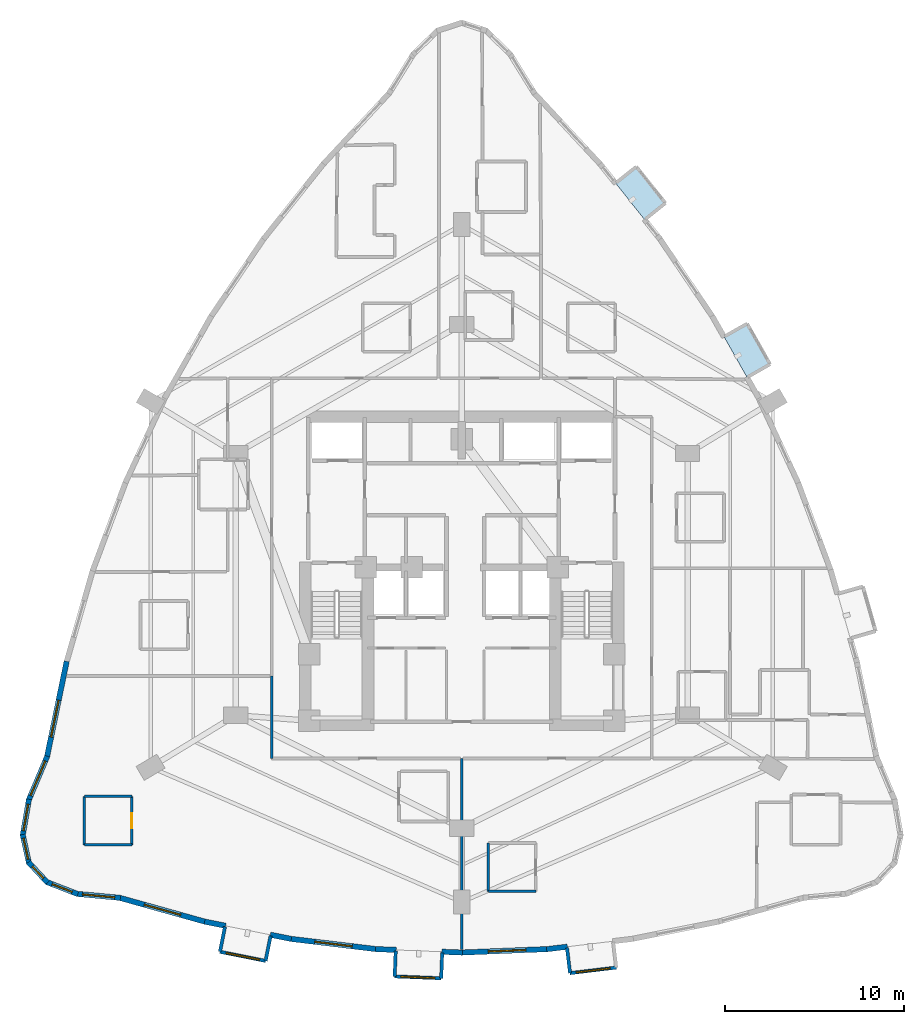
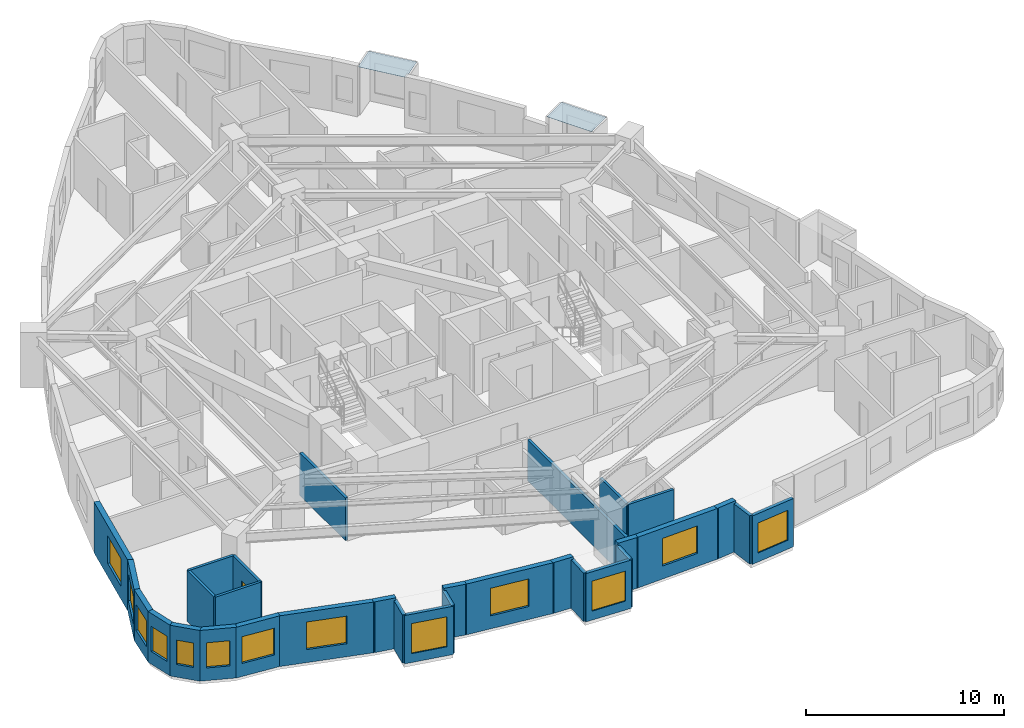
# One storey, part 6 of 13: 31 walls, 13 windows, 2 plates, 1 door, 14 openings.
"""IFC4 building model written with IfcOpenShell, lengths in metres."""

from ifc_helpers import new_model, si_unit, direction, frame, frame_2d, origin, place, context, subcontext, project, spatial, polyline, rectangle, outline, extrude, material, layer, layer_set, type_object, element, fill, save


model = new_model("IFC4")

# Units and contexts
model_context = context("Model", 3, precision=1e-05, world=origin(), true_north=direction((0.0, 1.0)))
body_context = subcontext(model_context, "Body", "Model", "MODEL_VIEW")
ifc_project = project(units=[si_unit("LENGTHUNIT", "METRE"), si_unit("AREAUNIT", "SQUARE_METRE"), si_unit("VOLUMEUNIT", "CUBIC_METRE"), si_unit("PLANEANGLEUNIT", "RADIAN"), si_unit("MASSUNIT", "GRAM", prefix="KILO")], contexts=[model_context])

# Site, building, storey
site_placement = place(None, origin())
site = spatial("IfcSite", under=ifc_project, at=site_placement, CompositionType="ELEMENT")
building_placement = place(site_placement, origin())
building = spatial("IfcBuilding", under=site, at=building_placement, Name="Miruveldt Soraemaru", CompositionType="ELEMENT")
storey_placement = place(building_placement, frame((0.0, 0.0, 63.199951171875)))
storey = spatial("IfcBuildingStorey", under=building, at=storey_placement, Name="L17", CompositionType="ELEMENT", Elevation=63.199951171875)

# Plates
ifc_material_1 = material(Name="Standing-seam titanium-zinc sheet", Category="aluminium")
ifc_layer_1 = layer(ifc_material_1, 0.011962890625, Name="Standing-seam titanium-zinc sheet", Category="aluminium")
ifc_layer_set_1 = layer_set([ifc_layer_1], Name="Standing-seam titanium-zinc sheet")
plate_type = type_object("IfcPlateType", Name="PLT-ZINC-12", PredefinedType="SHEET", material=ifc_layer_set_1)
plate_1_placement = place(storey_placement, frame((0.0, 0.0, 2.97509765625)))
element("IfcPlate", 1, at=plate_1_placement, inside=storey, type_object=plate_type, Name="L17 Bay Window Zinc Hood Sheet 5", PredefinedType="SHEET", context=body_context, shape_type="SweptSolid", body=[
    extrude(outline(polyline([(59.912109375, 54.6513671875), (58.629150390625, 56.9130859375), (59.91650390625, 57.643310546875), (61.19921875, 55.381591796875), (59.912109375, 54.6513671875)])), origin(), (0.0, 0.0, 1.0), 0.011962890625),
])
plate_2_placement = place(storey_placement, frame((0.0, 0.0, 2.97509765625)))
element("IfcPlate", 2, at=plate_2_placement, inside=storey, type_object=plate_type, Name="L17 Bay Window Zinc Hood Sheet 6", PredefinedType="SHEET", context=body_context, shape_type="SweptSolid", body=[
    extrude(outline(polyline([(54.2021484375, 63.4453125), (52.58056640625, 65.4775390625), (53.737548828125, 66.400634765625), (55.359130859375, 64.3681640625), (54.2021484375, 63.4453125)])), origin(), (0.0, 0.0, 1.0), 0.011962890625),
])

# Walls
ifc_material_2 = material(Name="White powder-coated aluminium EN AW-6060 T6", Category="aluminium")
ifc_layer_2 = layer(ifc_material_2, 0.18994140625, Name="White powder-coated aluminium EN AW-6060 T6", Category="aluminium")
ifc_layer_set_2 = layer_set([ifc_layer_2], Name="White powder-coated aluminium EN AW-6060 T6")
wall_type_1 = type_object("IfcWallType", Name="WALL-BAY-ALU190", PredefinedType="SOLIDWALL", material=ifc_layer_set_2)
for number, where, z_axis, x_axis, name in (
    (3, (30.791748046875, 24.007080078125, 0.0), (0.0, 0.0, 1.0), (-0.196149079112, -0.980574086321, 0.0), "L17 Bay Window Side Cheek 1L"),
    (4, (33.061767578125, 22.099609375, 0.0), (0.0, 0.0, 1.0), (0.196149079112, 0.980574086321, 0.0), "L17 Bay Window Side Cheek 1R"),
):
    element("IfcWall", number, at=place(storey_placement, frame(where, z_axis=z_axis, x_axis=x_axis)), inside=storey, type_object=wall_type_1, Name=name, PredefinedType="SOLIDWALL", context=body_context, shape_type="SweptSolid", body=[
        extrude(rectangle(XDim=1.425048828125, YDim=0.18994140625, at=frame_2d((0.71240234375, 0.0))), origin(), (0.0, 0.0, 1.0), 2.97509765625),
    ])

# Wall, opening, window
wall_1_placement = place(storey_placement, frame((30.51220703125, 22.609619140625, 0.0), z_axis=(0.0, 0.0, 1.0), x_axis=(0.980573452128, -0.196152249497, 0.0)))
wall_1 = element("IfcWall", 5, at=wall_1_placement, inside=storey, type_object=wall_type_1, Name="L17 Bay Window Front Frame 1", PredefinedType="SOLIDWALL", context=body_context, shape_type="SweptSolid", body=[
    extrude(rectangle(XDim=2.60009765625, YDim=0.18994140625, at=frame_2d((1.300048828125, 0.0))), origin(), (0.0, 0.0, 1.0), 2.97509765625),
])
opening_1_placement = place(wall_1_placement, frame((0.35009765625, 0.0, 0.550048828125)))
opening_1 = element("IfcOpeningElement", 6, at=opening_1_placement, cuts=wall_1, Name="Opening WN-6", PredefinedType="OPENING", context=body_context, shape_type="SweptSolid", body=[
    extrude(rectangle(XDim=1.89990234375, YDim=1.85009765625, at=frame_2d((0.949951171875, 0.925048828125))), frame((0.0, 0.10498046875, 0.0), z_axis=(0.0, -1.0, 0.0), x_axis=(1.0, 0.0, 0.0)), (0.0, 0.0, 1.0), 0.2099609375),
])
ifc_material_3 = material(Name="Triple low-e insulated glazing", Category="glass")
window_type_1 = type_object("IfcWindowType", Name="WIN-BAYW-1900x1850", PartitioningType="SINGLE_PANEL", PredefinedType="WINDOW", material=ifc_material_3)
window_1_placement = place(opening_1_placement, origin())
window_1 = element("IfcWindow", 7, at=window_1_placement, inside=storey, type_object=window_type_1, Name="L17 Projecting Bay Window 1", OverallHeight=1.85009765625, OverallWidth=1.89990234375, PartitioningType="SINGLE_PANEL", PredefinedType="WINDOW", context=body_context, shape_type="SweptSolid", body=[
    extrude(rectangle(XDim=1.89990234375, YDim=1.85009765625, at=frame_2d((0.949951171875, 0.925048828125))), frame((0.0, 0.030029296875, 0.0), z_axis=(0.0, -1.0, 0.0), x_axis=(1.0, 0.0, 0.0)), (0.0, 0.0, 1.0), 0.06005859375),
])
fill(opening_1, window_1)

# Walls
for number, where, z_axis, x_axis, name in (
    (8, (40.314208984375, 22.658447265625, 0.0), (0.0, 0.0, 1.0), (-0.039920142234, -0.999202873417, 0.0), "L17 Bay Window Side Cheek 2L"),
    (9, (42.855224609375, 21.130615234375, 0.0), (0.0, 0.0, 1.0), (0.039920142234, 0.999202873417, 0.0), "L17 Bay Window Side Cheek 2R"),
):
    element("IfcWall", number, at=place(storey_placement, frame(where, z_axis=z_axis, x_axis=x_axis)), inside=storey, type_object=wall_type_1, Name=name, PredefinedType="SOLIDWALL", context=body_context, shape_type="SweptSolid", body=[
        extrude(rectangle(XDim=1.425048828125, YDim=0.18994140625, at=frame_2d((0.71240234375, 0.0))), origin(), (0.0, 0.0, 1.0), 2.97509765625),
    ])

# Wall, opening, window
wall_2_placement = place(storey_placement, frame((40.25732421875, 21.234619140625, 0.0), z_axis=(0.0, 0.0, 1.0), x_axis=(0.999199608139, -0.040001788654, 0.0)))
wall_2 = element("IfcWall", 10, at=wall_2_placement, inside=storey, type_object=wall_type_1, Name="L17 Bay Window Front Frame 2", PredefinedType="SOLIDWALL", context=body_context, shape_type="SweptSolid", body=[
    extrude(rectangle(XDim=2.60009765625, YDim=0.18994140625, at=frame_2d((1.300048828125, 0.0))), origin(), (0.0, 0.0, 1.0), 2.97509765625),
])
opening_2_placement = place(wall_2_placement, frame((0.35009765625, 0.0, 0.550048828125)))
opening_2 = element("IfcOpeningElement", 11, at=opening_2_placement, cuts=wall_2, Name="Opening WN-6", PredefinedType="OPENING", context=body_context, shape_type="SweptSolid", body=[
    extrude(rectangle(XDim=1.89990234375, YDim=1.85009765625, at=frame_2d((0.949951171875, 0.925048828125))), frame((0.0, 0.10498046875, 0.0), z_axis=(0.0, -1.0, 0.0), x_axis=(1.0, 0.0, 0.0)), (0.0, 0.0, 1.0), 0.2099609375),
])
window_2_placement = place(opening_2_placement, origin())
window_2 = element("IfcWindow", 12, at=window_2_placement, inside=storey, type_object=window_type_1, Name="L17 Projecting Bay Window 2", OverallHeight=1.85009765625, OverallWidth=1.89990234375, PartitioningType="SINGLE_PANEL", PredefinedType="WINDOW", context=body_context, shape_type="SweptSolid", body=[
    extrude(rectangle(XDim=1.89990234375, YDim=1.85009765625, at=frame_2d((0.949951171875, 0.925048828125))), frame((0.0, 0.030029296875, 0.0), z_axis=(0.0, -1.0, 0.0), x_axis=(1.0, 0.0, 0.0)), (0.0, 0.0, 1.0), 0.06005859375),
])
fill(opening_2, window_2)

# Wall
wall_3_placement = place(storey_placement, frame((49.869384765625, 22.83349609375, 0.0), z_axis=(0.0, 0.0, 1.0), x_axis=(0.119246559468, -0.992864672579, 0.0)))
element("IfcWall", 13, at=wall_3_placement, inside=storey, type_object=wall_type_1, Name="L17 Bay Window Side Cheek 3L", PredefinedType="SOLIDWALL", context=body_context, shape_type="SweptSolid", body=[
    extrude(rectangle(XDim=1.425048828125, YDim=0.18994140625, at=frame_2d((0.71240234375, 0.0))), origin(), (0.0, 0.0, 1.0), 2.97509765625),
])

# Wall, opening, window
wall_4_placement = place(storey_placement, frame((50.039306640625, 21.418701171875, 0.0), z_axis=(0.0, 0.0, 1.0), x_axis=(0.992885278793, 0.119074863663, 0.0)))
wall_4 = element("IfcWall", 14, at=wall_4_placement, inside=storey, type_object=wall_type_1, Name="L17 Bay Window Front Frame 3", PredefinedType="SOLIDWALL", context=body_context, shape_type="SweptSolid", body=[
    extrude(rectangle(XDim=2.599853515625, YDim=0.18994140625, at=frame_2d((1.2998046875, 0.0))), origin(), (0.0, 0.0, 1.0), 2.97509765625),
])
opening_3_placement = place(wall_4_placement, frame((0.35009765625, 0.0, 0.550048828125)))
opening_3 = element("IfcOpeningElement", 15, at=opening_3_placement, cuts=wall_4, Name="Opening WN-6", PredefinedType="OPENING", context=body_context, shape_type="SweptSolid", body=[
    extrude(rectangle(XDim=1.89990234375, YDim=1.85009765625, at=frame_2d((0.949951171875, 0.925048828125))), frame((0.0, 0.10498046875, 0.0), z_axis=(0.0, -1.0, 0.0), x_axis=(1.0, 0.0, 0.0)), (0.0, 0.0, 1.0), 0.2099609375),
])
window_3_placement = place(opening_3_placement, origin())
window_3 = element("IfcWindow", 16, at=window_3_placement, inside=storey, type_object=window_type_1, Name="L17 Projecting Bay Window 3", OverallHeight=1.85009765625, OverallWidth=1.89990234375, PartitioningType="SINGLE_PANEL", PredefinedType="WINDOW", context=body_context, shape_type="SweptSolid", body=[
    extrude(rectangle(XDim=1.89990234375, YDim=1.85009765625, at=frame_2d((0.949951171875, 0.925048828125))), frame((0.0, 0.030029296875, 0.0), z_axis=(0.0, -1.0, 0.0), x_axis=(1.0, 0.0, 0.0)), (0.0, 0.0, 1.0), 0.06005859375),
])
fill(opening_3, window_3)

ifc_material_4 = material(Name="Precast concrete C45/55 (45 MPa)", Category="concrete")
ifc_layer_3 = layer(ifc_material_4, 0.300048828125, Name="Precast concrete C45/55 (45 MPa)", Category="concrete")
ifc_layer_set_3 = layer_set([ifc_layer_3], Name="Precast concrete C45/55 (45 MPa)")
wall_type_2 = type_object("IfcWallType", Name="WALL-EXT-PC300", PredefinedType="SOLIDWALL", material=ifc_layer_set_3)
wall_5_placement = place(storey_placement, frame((21.96337890625, 38.815673828125, 0.0), z_axis=(0.0, 0.0, 1.0), x_axis=(-0.201576162265, -0.979472843323, 0.0)))
wall_5 = element("IfcWall", 17, at=wall_5_placement, inside=storey, type_object=wall_type_2, Name="L17 Precast Concrete Facade Wall 14", PredefinedType="SOLIDWALL", context=body_context, shape_type="SweptSolid", body=[
    extrude(rectangle(XDim=5.474365234375, YDim=0.300048828125, at=frame_2d((2.7373046875, 0.0))), origin(), (0.0, 0.0, 1.0), 3.125),
])
opening_4_placement = place(wall_5_placement, frame((2.215087890625, 0.0, 0.800048828125)))
opening_4 = element("IfcOpeningElement", 18, at=opening_4_placement, cuts=wall_5, Name="Opening WN-1", PredefinedType="OPENING", context=body_context, shape_type="SweptSolid", body=[
    extrude(rectangle(XDim=2.10009765625, YDim=1.699951171875, at=frame_2d((1.050048828125, 0.85009765625))), frame((0.0, 0.16015625, 0.0), z_axis=(0.0, -1.0, 0.0), x_axis=(1.0, 0.0, 0.0)), (0.0, 0.0, 1.0), 0.320068359375),
])
window_type_2 = type_object("IfcWindowType", Name="WIN-PUNCH-2100x1700", PartitioningType="SINGLE_PANEL", PredefinedType="WINDOW", material=ifc_material_3)
window_4_placement = place(opening_4_placement, origin())
window_4 = element("IfcWindow", 19, at=window_4_placement, inside=storey, type_object=window_type_2, Name="L17 Punched Triple-Glazed Window 14.1", OverallHeight=1.699951171875, OverallWidth=2.10009765625, PartitioningType="SINGLE_PANEL", PredefinedType="WINDOW", context=body_context, shape_type="SweptSolid", body=[
    extrude(rectangle(XDim=2.10009765625, YDim=1.699951171875, at=frame_2d((1.050048828125, 0.85009765625))), frame((0.0, 0.030029296875, 0.0), z_axis=(0.0, -1.0, 0.0), x_axis=(1.0, 0.0, 0.0)), (0.0, 0.0, 1.0), 0.06005859375),
])
fill(opening_4, window_4)

wall_6_placement = place(storey_placement, frame((20.880615234375, 33.52001953125, 0.0), z_axis=(0.0, 0.0, 1.0), x_axis=(-0.388667876127, -0.921377925754, 0.0)))
wall_6 = element("IfcWall", 20, at=wall_6_placement, inside=storey, type_object=wall_type_2, Name="L17 Precast Concrete Facade Wall 15", PredefinedType="SOLIDWALL", context=body_context, shape_type="SweptSolid", body=[
    extrude(rectangle(XDim=2.6796875, YDim=0.300048828125, at=frame_2d((1.33984375, 0.0))), origin(), (0.0, 0.0, 1.0), 3.125),
])
opening_5_placement = place(wall_6_placement, frame((0.2900390625, 0.0, 0.800048828125)))
opening_5 = element("IfcOpeningElement", 21, at=opening_5_placement, cuts=wall_6, Name="Opening WN-1", PredefinedType="OPENING", context=body_context, shape_type="SweptSolid", body=[
    extrude(rectangle(XDim=2.10009765625, YDim=1.699951171875, at=frame_2d((1.050048828125, 0.85009765625))), frame((0.0, 0.16015625, 0.0), z_axis=(0.0, -1.0, 0.0), x_axis=(1.0, 0.0, 0.0)), (0.0, 0.0, 1.0), 0.320068359375),
])
window_5_placement = place(opening_5_placement, origin())
window_5 = element("IfcWindow", 22, at=window_5_placement, inside=storey, type_object=window_type_2, Name="L17 Punched Triple-Glazed Window 15.1", OverallHeight=1.699951171875, OverallWidth=2.10009765625, PartitioningType="SINGLE_PANEL", PredefinedType="WINDOW", context=body_context, shape_type="SweptSolid", body=[
    extrude(rectangle(XDim=2.10009765625, YDim=1.699951171875, at=frame_2d((1.050048828125, 0.85009765625))), frame((0.0, 0.030029296875, 0.0), z_axis=(0.0, -1.0, 0.0), x_axis=(1.0, 0.0, 0.0)), (0.0, 0.0, 1.0), 0.06005859375),
])
fill(opening_5, window_5)

wall_7_placement = place(storey_placement, frame((19.858642578125, 31.11767578125, 0.0), z_axis=(0.0, 0.0, 1.0), x_axis=(-0.169321278281, -0.985560908682, 0.0)))
wall_7 = element("IfcWall", 23, at=wall_7_placement, inside=storey, type_object=wall_type_2, Name="L17 Precast Concrete Facade Wall 16", PredefinedType="SOLIDWALL", context=body_context, shape_type="SweptSolid", body=[
    extrude(rectangle(XDim=2.066162109375, YDim=0.300048828125, at=frame_2d((1.033203125, 0.0))), origin(), (0.0, 0.0, 1.0), 3.125),
])
opening_6_placement = place(wall_7_placement, frame((0.282958984375, 0.0, 0.800048828125)))
opening_6 = element("IfcOpeningElement", 24, at=opening_6_placement, cuts=wall_7, Name="Opening WN-3", PredefinedType="OPENING", context=body_context, shape_type="SweptSolid", body=[
    extrude(rectangle(XDim=1.5, YDim=1.60009765625, at=frame_2d((0.75, 0.800048828125))), frame((0.0, 0.16015625, 0.0), z_axis=(0.0, -1.0, 0.0), x_axis=(1.0, 0.0, 0.0)), (0.0, 0.0, 1.0), 0.320068359375),
])
window_type_3 = type_object("IfcWindowType", Name="WIN-PUNCH-1500x1600", PartitioningType="SINGLE_PANEL", PredefinedType="WINDOW", material=ifc_material_3)
window_6_placement = place(opening_6_placement, origin())
window_6 = element("IfcWindow", 25, at=window_6_placement, inside=storey, type_object=window_type_3, Name="L17 Punched Triple-Glazed Window 16.1", OverallHeight=1.60009765625, OverallWidth=1.5, PartitioningType="SINGLE_PANEL", PredefinedType="WINDOW", context=body_context, shape_type="SweptSolid", body=[
    extrude(rectangle(XDim=1.5, YDim=1.60009765625, at=frame_2d((0.75, 0.800048828125))), frame((0.0, 0.030029296875, 0.0), z_axis=(0.0, -1.0, 0.0), x_axis=(1.0, 0.0, 0.0)), (0.0, 0.0, 1.0), 0.06005859375),
])
fill(opening_6, window_6)

wall_8_placement = place(storey_placement, frame((19.507080078125, 29.14990234375, 0.0), z_axis=(0.0, 0.0, 1.0), x_axis=(0.215809114489, -0.976435571916, 0.0)))
wall_8 = element("IfcWall", 26, at=wall_8_placement, inside=storey, type_object=wall_type_2, Name="L17 Precast Concrete Facade Wall 17", PredefinedType="SOLIDWALL", context=body_context, shape_type="SweptSolid", body=[
    extrude(rectangle(XDim=1.636962890625, YDim=0.300048828125, at=frame_2d((0.818359375, 0.0))), origin(), (0.0, 0.0, 1.0), 3.125),
])
opening_7_placement = place(wall_8_placement, frame((0.218994140625, 0.0, 0.780029296875)))
opening_7 = element("IfcOpeningElement", 27, at=opening_7_placement, cuts=wall_8, Name="Opening WN-4", PredefinedType="OPENING", context=body_context, shape_type="SweptSolid", body=[
    extrude(rectangle(XDim=1.199951171875, YDim=1.550048828125, at=frame_2d((0.60009765625, 0.77490234375))), frame((0.0, 0.16015625, 0.0), z_axis=(0.0, -1.0, 0.0), x_axis=(1.0, 0.0, 0.0)), (0.0, 0.0, 1.0), 0.320068359375),
])
window_type_4 = type_object("IfcWindowType", Name="WIN-PUNCH-1200x1550", PartitioningType="SINGLE_PANEL", PredefinedType="WINDOW", material=ifc_material_3)
window_7_placement = place(opening_7_placement, origin())
window_7 = element("IfcWindow", 28, at=window_7_placement, inside=storey, type_object=window_type_4, Name="L17 Punched Triple-Glazed Window 17.1", OverallHeight=1.550048828125, OverallWidth=1.199951171875, PartitioningType="SINGLE_PANEL", PredefinedType="WINDOW", context=body_context, shape_type="SweptSolid", body=[
    extrude(rectangle(XDim=1.199951171875, YDim=1.550048828125, at=frame_2d((0.60009765625, 0.77490234375))), frame((0.0, 0.030029296875, 0.0), z_axis=(0.0, -1.0, 0.0), x_axis=(1.0, 0.0, 0.0)), (0.0, 0.0, 1.0), 0.06005859375),
])
fill(opening_7, window_7)

wall_9_placement = place(storey_placement, frame((19.8291015625, 27.611328125, 0.0), z_axis=(0.0, 0.0, 1.0), x_axis=(0.68010312741, -0.733116454656, 0.0)))
wall_9 = element("IfcWall", 29, at=wall_9_placement, inside=storey, type_object=wall_type_2, Name="L17 Precast Concrete Facade Wall 18", PredefinedType="SOLIDWALL", context=body_context, shape_type="SweptSolid", body=[
    extrude(rectangle(XDim=1.561279296875, YDim=0.300048828125, at=frame_2d((0.78076171875, 0.0))), origin(), (0.0, 0.0, 1.0), 3.125),
])
opening_8_placement = place(wall_9_placement, frame((0.330078125, 0.0, 0.780029296875)))
opening_8 = element("IfcOpeningElement", 30, at=opening_8_placement, cuts=wall_9, Name="Opening WN-7", PredefinedType="OPENING", context=body_context, shape_type="SweptSolid", body=[
    extrude(rectangle(XDim=0.89990234375, YDim=1.5, at=frame_2d((0.449951171875, 0.75))), frame((0.0, 0.16015625, 0.0), z_axis=(0.0, -1.0, 0.0), x_axis=(1.0, 0.0, 0.0)), (0.0, 0.0, 1.0), 0.320068359375),
])
window_type_5 = type_object("IfcWindowType", Name="WIN-PUNCH-900x1500", PartitioningType="SINGLE_PANEL", PredefinedType="WINDOW", material=ifc_material_3)
window_8_placement = place(opening_8_placement, origin())
window_8 = element("IfcWindow", 31, at=window_8_placement, inside=storey, type_object=window_type_5, Name="L17 Punched Triple-Glazed Window 18.1", OverallHeight=1.5, OverallWidth=0.89990234375, PartitioningType="SINGLE_PANEL", PredefinedType="WINDOW", context=body_context, shape_type="SweptSolid", body=[
    extrude(rectangle(XDim=0.89990234375, YDim=1.5, at=frame_2d((0.449951171875, 0.75))), frame((0.0, 0.030029296875, 0.0), z_axis=(0.0, -1.0, 0.0), x_axis=(1.0, 0.0, 0.0)), (0.0, 0.0, 1.0), 0.06005859375),
])
fill(opening_8, window_8)

wall_10_placement = place(storey_placement, frame((20.83447265625, 26.50537109375, 0.0), z_axis=(0.0, 0.0, 1.0), x_axis=(0.932272084915, -0.361757874397, 0.0)))
wall_10 = element("IfcWall", 32, at=wall_10_placement, inside=storey, type_object=wall_type_2, Name="L17 Precast Concrete Facade Wall 19", PredefinedType="SOLIDWALL", context=body_context, shape_type="SweptSolid", body=[
    extrude(rectangle(XDim=1.8828125, YDim=0.300048828125, at=frame_2d((0.94140625, 0.0))), origin(), (0.0, 0.0, 1.0), 3.125),
])
opening_9_placement = place(wall_10_placement, frame((0.342041015625, 0.0, 0.780029296875)))
opening_9 = element("IfcOpeningElement", 33, at=opening_9_placement, cuts=wall_10, Name="Opening WN-4", PredefinedType="OPENING", context=body_context, shape_type="SweptSolid", body=[
    extrude(rectangle(XDim=1.199951171875, YDim=1.550048828125, at=frame_2d((0.60009765625, 0.77490234375))), frame((0.0, 0.16015625, 0.0), z_axis=(0.0, -1.0, 0.0), x_axis=(1.0, 0.0, 0.0)), (0.0, 0.0, 1.0), 0.320068359375),
])
window_9_placement = place(opening_9_placement, origin())
window_9 = element("IfcWindow", 34, at=window_9_placement, inside=storey, type_object=window_type_4, Name="L17 Punched Triple-Glazed Window 19.1", OverallHeight=1.550048828125, OverallWidth=1.199951171875, PartitioningType="SINGLE_PANEL", PredefinedType="WINDOW", context=body_context, shape_type="SweptSolid", body=[
    extrude(rectangle(XDim=1.199951171875, YDim=1.550048828125, at=frame_2d((0.60009765625, 0.77490234375))), frame((0.0, 0.030029296875, 0.0), z_axis=(0.0, -1.0, 0.0), x_axis=(1.0, 0.0, 0.0)), (0.0, 0.0, 1.0), 0.06005859375),
])
fill(opening_9, window_9)

wall_11_placement = place(storey_placement, frame((22.5224609375, 25.840087890625, 0.0), z_axis=(0.0, 0.0, 1.0), x_axis=(0.995757962067, -0.092011308982, 0.0)))
wall_11 = element("IfcWall", 35, at=wall_11_placement, inside=storey, type_object=wall_type_2, Name="L17 Precast Concrete Facade Wall 20", PredefinedType="SOLIDWALL", context=body_context, shape_type="SweptSolid", body=[
    extrude(rectangle(XDim=2.446533203125, YDim=0.300048828125, at=frame_2d((1.22314453125, 0.0))), origin(), (0.0, 0.0, 1.0), 3.125),
])
opening_10_placement = place(wall_11_placement, frame((0.323974609375, 0.0, 0.800048828125)))
opening_10 = element("IfcOpeningElement", 36, at=opening_10_placement, cuts=wall_11, Name="Opening WN-2", PredefinedType="OPENING", context=body_context, shape_type="SweptSolid", body=[
    extrude(rectangle(XDim=1.800048828125, YDim=1.64990234375, at=frame_2d((0.89990234375, 0.824951171875))), frame((0.0, 0.16015625, 0.0), z_axis=(0.0, -1.0, 0.0), x_axis=(1.0, 0.0, 0.0)), (0.0, 0.0, 1.0), 0.320068359375),
])
window_type_6 = type_object("IfcWindowType", Name="WIN-PUNCH-1800x1650", PartitioningType="SINGLE_PANEL", PredefinedType="WINDOW", material=ifc_material_3)
window_10_placement = place(opening_10_placement, origin())
window_10 = element("IfcWindow", 37, at=window_10_placement, inside=storey, type_object=window_type_6, Name="L17 Punched Triple-Glazed Window 20.1", OverallHeight=1.64990234375, OverallWidth=1.800048828125, PartitioningType="SINGLE_PANEL", PredefinedType="WINDOW", context=body_context, shape_type="SweptSolid", body=[
    extrude(rectangle(XDim=1.800048828125, YDim=1.64990234375, at=frame_2d((0.89990234375, 0.824951171875))), frame((0.0, 0.030029296875, 0.0), z_axis=(0.0, -1.0, 0.0), x_axis=(1.0, 0.0, 0.0)), (0.0, 0.0, 1.0), 0.06005859375),
])
fill(opening_10, window_10)

wall_12_placement = place(storey_placement, frame((24.889892578125, 25.627685546875, 0.0), z_axis=(0.0, 0.0, 1.0), x_axis=(0.962965029361, -0.269626319614, 0.0)))
wall_12 = element("IfcWall", 38, at=wall_12_placement, inside=storey, type_object=wall_type_2, Name="L17 Precast Concrete Facade Wall 21", PredefinedType="SOLIDWALL", context=body_context, shape_type="SweptSolid", body=[
    extrude(rectangle(XDim=5.022705078125, YDim=0.300048828125, at=frame_2d((2.51123046875, 0.0))), origin(), (0.0, 0.0, 1.0), 3.125),
])
opening_11_placement = place(wall_12_placement, frame((1.4609375, 0.0, 0.800048828125)))
opening_11 = element("IfcOpeningElement", 39, at=opening_11_placement, cuts=wall_12, Name="Opening WN-1", PredefinedType="OPENING", context=body_context, shape_type="SweptSolid", body=[
    extrude(rectangle(XDim=2.10009765625, YDim=1.699951171875, at=frame_2d((1.050048828125, 0.85009765625))), frame((0.0, 0.16015625, 0.0), z_axis=(0.0, -1.0, 0.0), x_axis=(1.0, 0.0, 0.0)), (0.0, 0.0, 1.0), 0.320068359375),
])
window_11_placement = place(opening_11_placement, origin())
window_11 = element("IfcWindow", 40, at=window_11_placement, inside=storey, type_object=window_type_2, Name="L17 Punched Triple-Glazed Window 21.1", OverallHeight=1.699951171875, OverallWidth=2.10009765625, PartitioningType="SINGLE_PANEL", PredefinedType="WINDOW", context=body_context, shape_type="SweptSolid", body=[
    extrude(rectangle(XDim=2.10009765625, YDim=1.699951171875, at=frame_2d((1.050048828125, 0.85009765625))), frame((0.0, 0.030029296875, 0.0), z_axis=(0.0, -1.0, 0.0), x_axis=(1.0, 0.0, 0.0)), (0.0, 0.0, 1.0), 0.06005859375),
])
fill(opening_11, window_11)

# Walls
for number, where, z_axis, x_axis, name in (
    (41, (29.658447265625, 24.289794921875, 0.0), (0.0, 0.0, 1.0), (0.980588522376, -0.196076897629, 0.0), "L17 Precast Pier Wall 22A"),
    (42, (33.32275390625, 23.556884765625, 0.0), (0.0, 0.0, 1.0), (0.980588522376, -0.196076897629, 0.0), "L17 Precast Pier Wall 22B"),
):
    element("IfcWall", number, at=place(storey_placement, frame(where, z_axis=z_axis, x_axis=x_axis)), inside=storey, type_object=wall_type_2, Name=name, PredefinedType="SOLIDWALL", context=body_context, shape_type="SweptSolid", body=[
        extrude(rectangle(XDim=1.196533203125, YDim=0.300048828125, at=frame_2d((0.59814453125, 0.0))), origin(), (0.0, 0.0, 1.0), 3.125),
    ])

# Wall, opening, window
wall_13_placement = place(storey_placement, frame((34.427001953125, 23.333251953125, 0.0), z_axis=(0.0, 0.0, 1.0), x_axis=(0.992878497765, -0.119131392486, 0.0)))
wall_13 = element("IfcWall", 43, at=wall_13_placement, inside=storey, type_object=wall_type_2, Name="L17 Precast Concrete Facade Wall 23", PredefinedType="SOLIDWALL", context=body_context, shape_type="SweptSolid", body=[
    extrude(rectangle(XDim=4.873291015625, YDim=0.300048828125, at=frame_2d((2.4365234375, 0.0))), origin(), (0.0, 0.0, 1.0), 3.125),
])
opening_12_placement = place(wall_13_placement, frame((1.385986328125, 0.0, 0.800048828125)))
opening_12 = element("IfcOpeningElement", 44, at=opening_12_placement, cuts=wall_13, Name="Opening WN-1", PredefinedType="OPENING", context=body_context, shape_type="SweptSolid", body=[
    extrude(rectangle(XDim=2.10009765625, YDim=1.699951171875, at=frame_2d((1.050048828125, 0.85009765625))), frame((0.0, 0.16015625, 0.0), z_axis=(0.0, -1.0, 0.0), x_axis=(1.0, 0.0, 0.0)), (0.0, 0.0, 1.0), 0.320068359375),
])
window_12_placement = place(opening_12_placement, origin())
window_12 = element("IfcWindow", 45, at=window_12_placement, inside=storey, type_object=window_type_2, Name="L17 Punched Triple-Glazed Window 23.1", OverallHeight=1.699951171875, OverallWidth=2.10009765625, PartitioningType="SINGLE_PANEL", PredefinedType="WINDOW", context=body_context, shape_type="SweptSolid", body=[
    extrude(rectangle(XDim=2.10009765625, YDim=1.699951171875, at=frame_2d((1.050048828125, 0.85009765625))), frame((0.0, 0.030029296875, 0.0), z_axis=(0.0, -1.0, 0.0), x_axis=(1.0, 0.0, 0.0)), (0.0, 0.0, 1.0), 0.06005859375),
])
fill(opening_12, window_12)

# Walls
wall_14_placement = place(storey_placement, frame((39.19580078125, 22.75830078125, 0.0), z_axis=(0.0, 0.0, 1.0), x_axis=(0.999196889492, -0.040069639744, 0.0)))
element("IfcWall", 46, at=wall_14_placement, inside=storey, type_object=wall_type_2, Name="L17 Precast Pier Wall 24A", PredefinedType="SOLIDWALL", context=body_context, shape_type="SweptSolid", body=[
    extrude(rectangle(XDim=1.151611328125, YDim=0.300048828125, at=frame_2d((0.57568359375, 0.0))), origin(), (0.0, 0.0, 1.0), 3.125),
])
wall_15_placement = place(storey_placement, frame((42.884521484375, 22.610595703125, 0.0), z_axis=(0.0, 0.0, 1.0), x_axis=(0.999205018514, -0.039866414151, 0.0)))
element("IfcWall", 47, at=wall_15_placement, inside=storey, type_object=wall_type_2, Name="L17 Precast Pier Wall 24B", PredefinedType="SOLIDWALL", context=body_context, shape_type="SweptSolid", body=[
    extrude(rectangle(XDim=1.1513671875, YDim=0.300048828125, at=frame_2d((0.57568359375, 0.0))), origin(), (0.0, 0.0, 1.0), 3.125),
])

# Wall, opening, window
wall_16_placement = place(storey_placement, frame((43.965087890625, 22.564697265625, 0.0), z_axis=(0.0, 0.0, 1.0), x_axis=(0.999200636573, 0.039976091257, 0.0)))
wall_16 = element("IfcWall", 48, at=wall_16_placement, inside=storey, type_object=wall_type_2, Name="L17 Precast Concrete Facade Wall 25", PredefinedType="SOLIDWALL", context=body_context, shape_type="SweptSolid", body=[
    extrude(rectangle(XDim=4.843017578125, YDim=0.300048828125, at=frame_2d((2.42138671875, 0.0))), origin(), (0.0, 0.0, 1.0), 3.125),
])
opening_13_placement = place(wall_16_placement, frame((1.511962890625, 0.0, 0.800048828125)))
opening_13 = element("IfcOpeningElement", 49, at=opening_13_placement, cuts=wall_16, Name="Opening WN-1", PredefinedType="OPENING", context=body_context, shape_type="SweptSolid", body=[
    extrude(rectangle(XDim=2.10009765625, YDim=1.699951171875, at=frame_2d((1.050048828125, 0.85009765625))), frame((0.0, 0.16015625, 0.0), z_axis=(0.0, -1.0, 0.0), x_axis=(1.0, 0.0, 0.0)), (0.0, 0.0, 1.0), 0.320068359375),
])
window_13_placement = place(opening_13_placement, origin())
window_13 = element("IfcWindow", 50, at=window_13_placement, inside=storey, type_object=window_type_2, Name="L17 Punched Triple-Glazed Window 25.1", OverallHeight=1.699951171875, OverallWidth=2.10009765625, PartitioningType="SINGLE_PANEL", PredefinedType="WINDOW", context=body_context, shape_type="SweptSolid", body=[
    extrude(rectangle(XDim=2.10009765625, YDim=1.699951171875, at=frame_2d((1.050048828125, 0.85009765625))), frame((0.0, 0.030029296875, 0.0), z_axis=(0.0, -1.0, 0.0), x_axis=(1.0, 0.0, 0.0)), (0.0, 0.0, 1.0), 0.06005859375),
])
fill(opening_13, window_13)

# Wall
wall_17_placement = place(storey_placement, frame((48.734375, 22.752685546875, 0.0), z_axis=(0.0, 0.0, 1.0), x_axis=(0.992883769209, 0.119087450396, 0.0)))
element("IfcWall", 51, at=wall_17_placement, inside=storey, type_object=wall_type_2, Name="L17 Precast Pier Wall 26A", PredefinedType="SOLIDWALL", context=body_context, shape_type="SweptSolid", body=[
    extrude(rectangle(XDim=1.16650390625, YDim=0.300048828125, at=frame_2d((0.583251953125, 0.0))), origin(), (0.0, 0.0, 1.0), 3.125),
])

# Wall, opening, door
ifc_material_5 = material(Name="Gypsum plasterboard lining", Category="gypsum")
ifc_layer_4 = layer(ifc_material_5, 0.14990234375, Name="Gypsum plasterboard lining", Category="gypsum")
ifc_layer_set_4 = layer_set([ifc_layer_4], Name="Gypsum plasterboard lining")
wall_type_3 = type_object("IfcWallType", Name="WALL-INT-PLUMB", PredefinedType="PLUMBINGWALL", material=ifc_layer_set_4)
wall_18_placement = place(storey_placement, frame((25.594970703125, 28.577880859375, 0.0), z_axis=(0.0, 0.0, 1.0), x_axis=(0.0, 1.0, 0.0)))
wall_18 = element("IfcWall", 52, at=wall_18_placement, inside=storey, type_object=wall_type_3, Name="L17 Partition Wall 74", PredefinedType="PLUMBINGWALL", context=body_context, shape_type="SweptSolid", body=[
    extrude(rectangle(XDim=2.7001953125, YDim=0.14990234375, at=frame_2d((1.35009765625, 0.0))), origin(), (0.0, 0.0, 1.0), 3.125),
])
opening_14_placement = place(wall_18_placement, frame((0.909912109375, 0.0, 0.0)))
opening_14 = element("IfcOpeningElement", 53, at=opening_14_placement, cuts=wall_18, Name="Opening FD3", PredefinedType="OPENING", context=body_context, shape_type="SweptSolid", body=[
    extrude(rectangle(XDim=0.85009765625, YDim=2.10009765625, at=frame_2d((0.425048828125, 1.050048828125))), frame((0.0, 0.0849609375, 0.0), z_axis=(0.0, -1.0, 0.0), x_axis=(1.0, 0.0, 0.0)), (0.0, 0.0, 1.0), 0.169921875),
])
ifc_material_6 = material(Name="Anodised aluminium EN AW-6063 T6", Category="aluminium")
door_type = type_object("IfcDoorType", Name="DOOR-FD3-850", OperationType="NOTDEFINED", PredefinedType="DOOR", material=ifc_material_6)
door_placement = place(opening_14_placement, origin())
door = element("IfcDoor", 54, at=door_placement, inside=storey, type_object=door_type, Name="L17 Unit CL08 BTH Door", OperationType="SINGLE_SWING_LEFT", OverallHeight=2.10009765625, OverallWidth=0.85009765625, PredefinedType="DOOR", context=body_context, shape_type="SweptSolid", body=[
    extrude(rectangle(XDim=0.85009765625, YDim=2.10009765625, at=frame_2d((0.425048828125, 1.050048828125))), frame((0.0, 0.02490234375, 0.0), z_axis=(0.0, -1.0, 0.0), x_axis=(1.0, 0.0, 0.0)), (0.0, 0.0, 1.0), 0.050048828125),
])
fill(opening_14, door)

# Walls
wall_19_placement = place(storey_placement, frame((45.47998046875, 28.677978515625, 0.0), z_axis=(0.0, 0.0, 1.0), x_axis=(0.0, -1.0, 0.0)))
element("IfcWall", 55, at=wall_19_placement, inside=storey, type_object=wall_type_3, Name="L17 Partition Wall 82", PredefinedType="PLUMBINGWALL", context=body_context, shape_type="SweptSolid", body=[
    extrude(rectangle(XDim=2.699951171875, YDim=0.14990234375, at=frame_2d((1.35009765625, 0.0))), origin(), (0.0, 0.0, 1.0), 2.512939453125),
])
wall_20_placement = place(storey_placement, frame((22.945068359375, 31.278076171875, 0.0), z_axis=(0.0, 0.0, 1.0), x_axis=(0.0, -1.0, 0.0)))
element("IfcWall", 56, at=wall_20_placement, inside=storey, type_object=wall_type_3, Name="L17 Partition Wall 100", PredefinedType="PLUMBINGWALL", context=body_context, shape_type="SweptSolid", body=[
    extrude(rectangle(XDim=2.7001953125, YDim=0.14990234375, at=frame_2d((1.35009765625, 0.0))), origin(), (0.0, 0.0, 1.0), 3.125),
])
wall_21_placement = place(storey_placement, frame((45.47998046875, 25.97802734375, 0.0), z_axis=(0.0, 0.0, 1.0), x_axis=(1.0, 0.0, 0.0)))
element("IfcWall", 57, at=wall_21_placement, inside=storey, type_object=wall_type_3, Name="L17 Partition Wall 83", PredefinedType="PLUMBINGWALL", context=body_context, shape_type="SweptSolid", body=[
    extrude(rectangle(XDim=2.64990234375, YDim=0.14990234375, at=frame_2d((1.324951171875, 0.0))), origin(), (0.0, 0.0, 1.0), 2.512939453125),
])
for number, where, z_axis, x_axis, name in (
    (58, (25.594970703125, 31.278076171875, 0.0), (0.0, 0.0, 1.0), (-1.0, 0.0, 0.0), "L17 Partition Wall 99"),
    (59, (22.945068359375, 28.577880859375, 0.0), (0.0, 0.0, 1.0), (1.0, 0.0, 0.0), "L17 Partition Wall 101"),
):
    element("IfcWall", number, at=place(storey_placement, frame(where, z_axis=z_axis, x_axis=x_axis)), inside=storey, type_object=wall_type_3, Name=name, PredefinedType="PLUMBINGWALL", context=body_context, shape_type="SweptSolid", body=[
        extrude(rectangle(XDim=2.64990234375, YDim=0.14990234375, at=frame_2d((1.324951171875, 0.0))), origin(), (0.0, 0.0, 1.0), 3.125),
    ])
ifc_material_7 = material(Name="Concrete C40/50 (40 MPa)", Category="concrete")
ifc_layer_5 = layer(ifc_material_7, 0.159912109375, Name="Concrete C40/50 (40 MPa)", Category="concrete")
ifc_layer_set_5 = layer_set([ifc_layer_5], Name="Concrete C40/50 (40 MPa)")
wall_type_4 = type_object("IfcWallType", Name="WALL-INT-RC160", PredefinedType="SOLIDWALL", material=ifc_layer_set_5)
wall_22_placement = place(storey_placement, frame((44.0, 22.73095703125, 0.0), z_axis=(0.0, 0.0, 1.0), x_axis=(0.0, 1.0, 0.0)))
element("IfcWall", 60, at=wall_22_placement, inside=storey, type_object=wall_type_4, Name="L17 Partition Wall 79", PredefinedType="SOLIDWALL", context=body_context, shape_type="SweptSolid", body=[
    extrude(rectangle(XDim=10.6689453125, YDim=0.159912109375, at=frame_2d((5.33447265625, 0.0))), origin(), (0.0, 0.0, 1.0), 2.512939453125),
])
wall_23_placement = place(storey_placement, frame((33.39990234375, 37.9970703125, 0.0), z_axis=(0.0, 0.0, 1.0), x_axis=(0.0, -1.0, 0.0)))
element("IfcWall", 61, at=wall_23_placement, inside=storey, type_object=wall_type_4, Name="L17 Partition Wall 9", PredefinedType="SOLIDWALL", context=body_context, shape_type="SweptSolid", body=[
    extrude(rectangle(XDim=4.59716796875, YDim=0.159912109375, at=frame_2d((2.298583984375, 0.0))), origin(), (0.0, 0.0, 1.0), 2.625),
])

save(model, "model.ifc")
